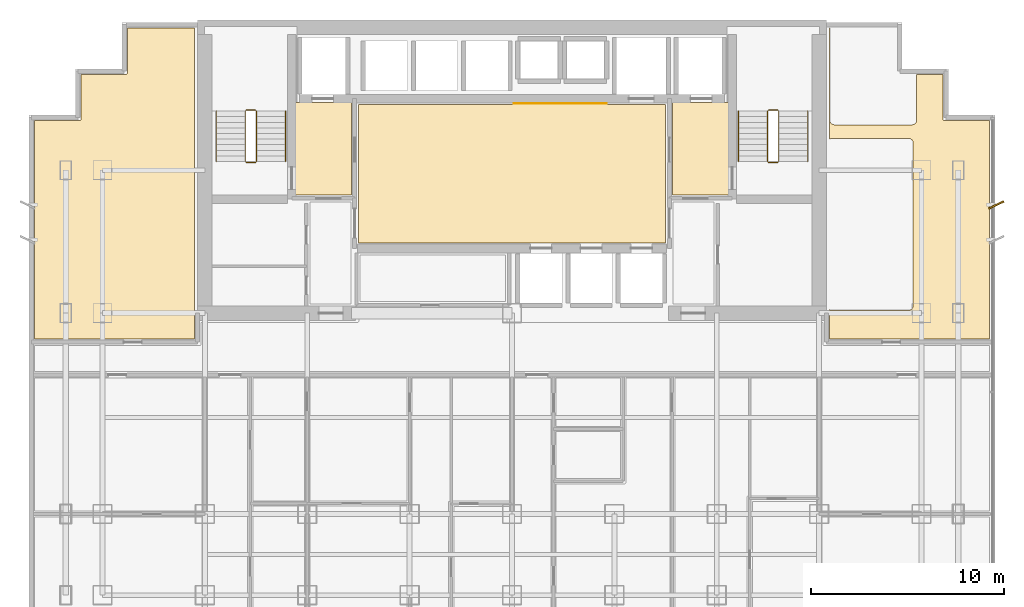
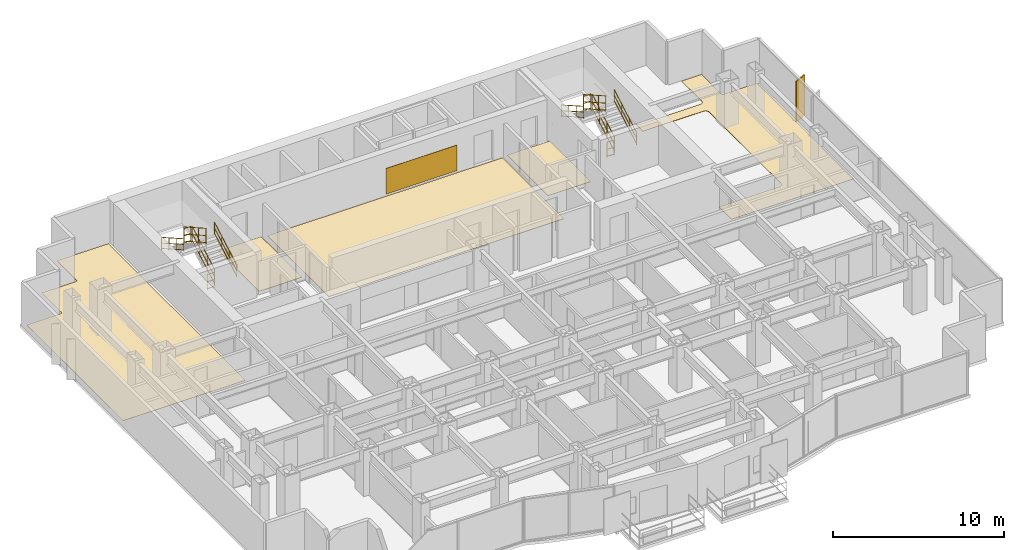
# One storey, part 12 of 12: 12 railings, 6 coverings, 1 shading device.
"""IFC4 building model written with IfcOpenShell, lengths in metres."""

from ifc_helpers import new_model, si_unit, direction, frame, origin, origin_2d, place, context, subcontext, project, spatial, polyline, rectangle, circle, outline, extrude, source, transform, mapped, material, layer, layer_set, type_object, element, save


model = new_model("IFC4")

# Units and contexts
model_context = context("Model", 3, precision=1e-05, world=origin(), true_north=direction((0.0, 1.0)))
body_context = subcontext(model_context, "Body", "Model", "MODEL_VIEW")
ifc_project = project(units=[si_unit("LENGTHUNIT", "METRE"), si_unit("AREAUNIT", "SQUARE_METRE"), si_unit("VOLUMEUNIT", "CUBIC_METRE"), si_unit("PLANEANGLEUNIT", "RADIAN"), si_unit("MASSUNIT", "GRAM", prefix="KILO")], contexts=[model_context])

# Site, building, storey
site_placement = place(None, origin())
site = spatial("IfcSite", under=ifc_project, at=site_placement, CompositionType="ELEMENT")
building_placement = place(site_placement, origin())
building = spatial("IfcBuilding", under=site, at=building_placement, Name="Qianlan Lanfeng Residences", CompositionType="ELEMENT")
storey_placement = place(building_placement, frame((0.0, 0.0, 101.5)))
storey = spatial("IfcBuildingStorey", under=building, at=storey_placement, Name="L27", CompositionType="ELEMENT", Elevation=101.5)

# Coverings
ifc_material_1 = material(Name="Anodised Bronze Feature Wall Cladding")
ifc_layer_1 = layer(ifc_material_1, 0.02490234375)
ifc_layer_set_1 = layer_set([ifc_layer_1], Name="Anodised Bronze Feature Wall Cladding")
covering_type_1 = type_object("IfcCoveringType", Name="CLD-BRZ-25", PredefinedType="CLADDING", material=ifc_layer_set_1)
covering_1_placement = place(storey_placement, frame((0.0, 0.0, 0.14990234375)))
element("IfcCovering", 1, at=covering_1_placement, inside=storey, type_object=covering_type_1, Name="L27 Lift Lobby Bronze Feature Cladding", PredefinedType="CLADDING", context=body_context, shape_type="SweptSolid", body=[
    extrude(outline(polyline([(26.60009765625, 36.050048828125), (31.39990234375, 36.050048828125), (31.39990234375, 36.074951171875), (26.60009765625, 36.074951171875), (26.60009765625, 36.050048828125)])), origin(), (0.0, 0.0, 1.0), 1.830078125),
])
ifc_material_2 = material(Name="Honed Taitung Granite Stone Flooring", Category="masonry")
ifc_layer_2 = layer(ifc_material_2, 0.030029296875)
ifc_layer_set_2 = layer_set([ifc_layer_2], Name="Honed Taitung Granite Stone Flooring")
covering_type_2 = type_object("IfcCoveringType", Name="FLR-STN-30", PredefinedType="FLOORING", material=ifc_layer_set_2)
covering_2_placement = place(storey_placement, origin())
element("IfcCovering", 2, at=covering_2_placement, inside=storey, type_object=covering_type_2, Name="L27 Firefighting Lift Lobby Floor Finish", PredefinedType="FLOORING", context=body_context, shape_type="SweptSolid", body=[
    extrude(outline(polyline([(15.2900390625, 31.320068359375), (18.179931640625, 31.320068359375), (18.179931640625, 36.110107421875), (15.2900390625, 36.110107421875), (15.2900390625, 31.320068359375)])), origin(), (0.0, 0.0, 1.0), 0.030029296875),
])
covering_3_placement = place(storey_placement, origin())
element("IfcCovering", 3, at=covering_3_placement, inside=storey, type_object=covering_type_2, Name="L27 Firefighting Lift Lobby Floor Finish", PredefinedType="FLOORING", context=body_context, shape_type="SweptSolid", body=[
    extrude(outline(polyline([(34.820068359375, 31.320068359375), (37.7099609375, 31.320068359375), (37.7099609375, 36.110107421875), (34.820068359375, 36.110107421875), (34.820068359375, 31.320068359375)])), origin(), (0.0, 0.0, 1.0), 0.030029296875),
])
covering_4_placement = place(storey_placement, origin())
element("IfcCovering", 4, at=covering_4_placement, inside=storey, type_object=covering_type_2, Name="L27 Lift Lobby Floor Finish", PredefinedType="FLOORING", context=body_context, shape_type="SweptSolid", body=[
    extrude(outline(polyline([(18.550048828125, 28.820068359375), (34.449951171875, 28.820068359375), (34.449951171875, 36.010009765625), (18.550048828125, 36.010009765625), (18.550048828125, 28.820068359375)])), origin(), (0.0, 0.0, 1.0), 0.030029296875),
])
ifc_material_3 = material(Name="Engineered Smoked Oak Timber Flooring", Category="wood")
ifc_layer_3 = layer(ifc_material_3, 0.02197265625)
ifc_layer_set_3 = layer_set([ifc_layer_3], Name="Engineered Smoked Oak Timber Flooring")
covering_type_3 = type_object("IfcCoveringType", Name="FLR-TIM-22", PredefinedType="FLOORING", material=ifc_layer_set_3)
covering_5_placement = place(storey_placement, origin())
element("IfcCovering", 5, at=covering_5_placement, inside=storey, type_object=covering_type_3, Name="L27 Sky Salon Floor Finish", PredefinedType="FLOORING", context=body_context, shape_type="SweptSolid", body=[
    extrude(outline(polyline([(10.074951171875, 23.8701171875), (10.074951171875, 39.9599609375), (6.590087890625, 39.9599609375), (6.590087890625, 37.6298828125), (6.590087890625, 37.623046875), (6.589111328125, 37.615966796875), (6.5869140625, 37.610107421875), (6.5849609375, 37.60302734375), (6.58203125, 37.596923828125), (6.577880859375, 37.591064453125), (6.573974609375, 37.5859375), (6.569091796875, 37.5810546875), (6.56396484375, 37.575927734375), (6.55908203125, 37.572021484375), (6.552978515625, 37.568115234375), (6.547119140625, 37.56494140625), (6.5400390625, 37.56298828125), (6.533935546875, 37.56103515625), (6.527099609375, 37.56005859375), (6.52001953125, 37.56005859375), (4.18994140625, 37.56005859375), (4.18994140625, 35.22998046875), (4.18994140625, 35.222900390625), (4.18896484375, 35.216064453125), (4.18701171875, 35.2099609375), (4.18505859375, 35.202880859375), (4.181884765625, 35.197021484375), (4.177978515625, 35.19091796875), (4.174072265625, 35.18603515625), (4.1689453125, 35.180908203125), (4.1640625, 35.176025390625), (4.158935546875, 35.172119140625), (4.153076171875, 35.16796875), (4.14697265625, 35.1650390625), (4.139892578125, 35.1630859375), (4.134033203125, 35.160888671875), (4.126953125, 35.159912109375), (4.1201171875, 35.159912109375), (1.7900390625, 35.159912109375), (1.7900390625, 23.8701171875), (10.074951171875, 23.8701171875)])), origin(), (0.0, 0.0, 1.0), 0.02197265625),
])
covering_6_placement = place(storey_placement, origin())
element("IfcCovering", 6, at=covering_6_placement, inside=storey, type_object=covering_type_3, Name="L27 Sky Salon Floor Finish", PredefinedType="FLOORING", context=body_context, shape_type="SweptSolid", body=[
    extrude(outline(polyline([(42.925048828125, 23.8701171875), (51.2099609375, 23.8701171875), (51.2099609375, 35.159912109375), (48.8798828125, 35.159912109375), (48.873046875, 35.159912109375), (48.865966796875, 35.160888671875), (48.860107421875, 35.1630859375), (48.85302734375, 35.1650390625), (48.846923828125, 35.16796875), (48.841064453125, 35.172119140625), (48.8359375, 35.176025390625), (48.8310546875, 35.180908203125), (48.825927734375, 35.18603515625), (48.822021484375, 35.19091796875), (48.818115234375, 35.197021484375), (48.81494140625, 35.202880859375), (48.81298828125, 35.2099609375), (48.81103515625, 35.216064453125), (48.81005859375, 35.222900390625), (48.81005859375, 35.22998046875), (48.81005859375, 37.56005859375), (47.449951171875, 37.56005859375), (47.449951171875, 35.199951171875), (47.448974609375, 35.175048828125), (47.445068359375, 35.15087890625), (47.43896484375, 35.126953125), (47.430908203125, 35.10400390625), (47.419921875, 35.08203125), (47.407958984375, 35.06103515625), (47.39306640625, 35.041015625), (47.376953125, 35.02294921875), (47.35888671875, 35.007080078125), (47.339111328125, 34.991943359375), (47.318115234375, 34.97998046875), (47.2958984375, 34.968994140625), (47.27294921875, 34.9609375), (47.2490234375, 34.955078125), (47.22509765625, 34.950927734375), (47.199951171875, 34.949951171875), (43.199951171875, 34.949951171875), (43.175048828125, 34.950927734375), (43.15087890625, 34.955078125), (43.126953125, 34.9609375), (43.10400390625, 34.968994140625), (43.08203125, 34.97998046875), (43.06103515625, 34.991943359375), (43.041015625, 35.007080078125), (43.02294921875, 35.02294921875), (43.007080078125, 35.041015625), (42.991943359375, 35.06103515625), (42.97998046875, 35.08203125), (42.968994140625, 35.10400390625), (42.9609375, 35.126953125), (42.955078125, 35.15087890625), (42.950927734375, 35.175048828125), (42.949951171875, 35.199951171875), (42.949951171875, 39.9599609375), (42.925048828125, 39.9599609375), (42.925048828125, 34.196044921875), (42.94091796875, 34.2080078125), (42.9619140625, 34.219970703125), (42.98388671875, 34.23095703125), (43.007080078125, 34.239013671875), (43.031005859375, 34.2451171875), (43.054931640625, 34.2490234375), (43.080078125, 34.25), (47.02001953125, 34.25), (47.044921875, 34.2490234375), (47.069091796875, 34.2451171875), (47.093017578125, 34.239013671875), (47.115966796875, 34.23095703125), (47.137939453125, 34.219970703125), (47.158935546875, 34.2080078125), (47.178955078125, 34.193115234375), (47.197021484375, 34.177001953125), (47.212890625, 34.158935546875), (47.22802734375, 34.138916015625), (47.239990234375, 34.117919921875), (47.2509765625, 34.095947265625), (47.259033203125, 34.072998046875), (47.264892578125, 34.049072265625), (47.26904296875, 34.02490234375), (47.27001953125, 34.0), (47.27001953125, 25.60009765625), (47.26904296875, 25.574951171875), (47.264892578125, 25.551025390625), (47.259033203125, 25.527099609375), (47.2509765625, 25.50390625), (47.239990234375, 25.48193359375), (47.22802734375, 25.4609375), (47.212890625, 25.44091796875), (47.197021484375, 25.423095703125), (47.178955078125, 25.406982421875), (47.158935546875, 25.39208984375), (47.137939453125, 25.3798828125), (47.115966796875, 25.368896484375), (47.093017578125, 25.361083984375), (47.069091796875, 25.35498046875), (47.044921875, 25.35107421875), (47.02001953125, 25.35009765625), (43.080078125, 25.35009765625), (43.054931640625, 25.35107421875), (43.031005859375, 25.35498046875), (43.007080078125, 25.361083984375), (42.98388671875, 25.368896484375), (42.9619140625, 25.3798828125), (42.94091796875, 25.39208984375), (42.925048828125, 25.404052734375), (42.925048828125, 23.8701171875)])), origin(), (0.0, 0.0, 1.0), 0.02197265625),
])

# Railings
ifc_material_4 = material(Name="Painted Galvanised Steel Guardrail", Category="steel")
railing_type_1 = type_object("IfcRailingType", Name="GR-ST-1120", PredefinedType="GUARDRAIL", material=ifc_material_4)
railing_1_placement = place(storey_placement, frame((13.27001953125, 33.050048828125, 0.1650390625)))
element("IfcRailing", 7, at=railing_1_placement, inside=storey, type_object=railing_type_1, Name="L27 ST-1 stair guard 1", PredefinedType="GUARDRAIL", context=body_context, shape_type="SweptSolid", body=[
    extrude(circle(Radius=0.02392578125, at=origin_2d()), frame((0.0, 0.0, 0.083984375), z_axis=(0.0, 0.869172267526, 0.494509422927), x_axis=(-1.0, 0.0, 0.0)), (0.0, 0.0, 1.0), 3.002685546875),
    extrude(circle(Radius=0.02392578125, at=origin_2d()), frame((0.0, 0.0, 0.58251953125), z_axis=(0.0, 0.869172267526, 0.494509422927), x_axis=(-1.0, 0.0, 0.0)), (0.0, 0.0, 1.0), 3.002685546875),
    extrude(circle(Radius=0.02392578125, at=origin_2d()), frame((0.0, 0.0, 1.09619140625), z_axis=(0.0, 0.869172267526, 0.494509422927), x_axis=(-1.0, 0.0, 0.0)), (0.0, 0.0, 1.0), 3.002685546875),
    extrude(circle(Radius=0.02099609375, at=origin_2d()), origin(), (0.0, 0.0, 1.0), 1.072021484375),
    extrude(circle(Radius=0.02099609375, at=origin_2d()), frame((0.0, 0.869873046875, 0.494873046875)), (0.0, 0.0, 1.0), 1.072021484375),
    extrude(circle(Radius=0.02099609375, at=origin_2d()), frame((0.0, 1.739990234375, 0.989990234375)), (0.0, 0.0, 1.0), 1.072021484375),
    extrude(circle(Radius=0.02099609375, at=origin_2d()), frame((0.0, 2.60986328125, 1.48486328125)), (0.0, 0.0, 1.0), 1.072021484375),
])
railing_2_placement = place(storey_placement, frame((13.219970703125, 35.7099609375, 1.64990234375)))
element("IfcRailing", 8, at=railing_2_placement, inside=storey, type_object=railing_type_1, Name="L27 ST-1 stair guard 2", PredefinedType="GUARDRAIL", context=body_context, shape_type="SweptSolid", body=[
    extrude(circle(Radius=0.02392578125, at=origin_2d()), frame((0.0, 0.0, 0.083984375), z_axis=(-1.0, 0.0, 0.0), x_axis=(0.0, -1.0, 0.0)), (0.0, 0.0, 1.0), 0.47998046875),
    extrude(circle(Radius=0.02392578125, at=origin_2d()), frame((0.0, 0.0, 0.58251953125), z_axis=(-1.0, 0.0, 0.0), x_axis=(0.0, -1.0, 0.0)), (0.0, 0.0, 1.0), 0.47998046875),
    extrude(circle(Radius=0.02392578125, at=origin_2d()), frame((0.0, 0.0, 1.09619140625), z_axis=(-1.0, 0.0, 0.0), x_axis=(0.0, -1.0, 0.0)), (0.0, 0.0, 1.0), 0.47998046875),
    extrude(circle(Radius=0.02099609375, at=origin_2d()), origin(), (0.0, 0.0, 1.0), 1.072021484375),
    extrude(circle(Radius=0.02099609375, at=origin_2d()), frame((-0.47998046875, 0.0, 0.0)), (0.0, 0.0, 1.0), 1.072021484375),
])
railing_3_placement = place(storey_placement, frame((12.68994140625, 35.659912109375, 1.81494140625)))
element("IfcRailing", 9, at=railing_3_placement, inside=storey, type_object=railing_type_1, Name="L27 ST-1 stair guard 3", PredefinedType="GUARDRAIL", context=body_context, shape_type="SweptSolid", body=[
    extrude(circle(Radius=0.02392578125, at=origin_2d()), frame((0.0, 0.0, 0.083984375), z_axis=(0.0, -0.869137319866, 0.494570843475), x_axis=(1.0, 0.0, 0.0)), (0.0, 0.0, 1.0), 3.0029296875),
    extrude(circle(Radius=0.02392578125, at=origin_2d()), frame((0.0, 0.0, 0.58251953125), z_axis=(0.0, -0.869137319866, 0.494570843475), x_axis=(1.0, 0.0, 0.0)), (0.0, 0.0, 1.0), 3.0029296875),
    extrude(circle(Radius=0.02392578125, at=origin_2d()), frame((0.0, 0.0, 1.09619140625), z_axis=(0.0, -0.869137319866, 0.494570843475), x_axis=(1.0, 0.0, 0.0)), (0.0, 0.0, 1.0), 3.0029296875),
    extrude(circle(Radius=0.02099609375, at=origin_2d()), origin(), (0.0, 0.0, 1.0), 1.072021484375),
    extrude(circle(Radius=0.02099609375, at=origin_2d()), frame((0.0, -0.869873046875, 0.4951171875)), (0.0, 0.0, 1.0), 1.072021484375),
    extrude(circle(Radius=0.02099609375, at=origin_2d()), frame((0.0, -1.739990234375, 0.989990234375)), (0.0, 0.0, 1.0), 1.072021484375),
    extrude(circle(Radius=0.02099609375, at=origin_2d()), frame((0.0, -2.60986328125, 1.485107421875)), (0.0, 0.0, 1.0), 1.072021484375),
])
railing_4_placement = place(storey_placement, frame((13.219970703125, 33.0, 0.0)))
element("IfcRailing", 10, at=railing_4_placement, inside=storey, type_object=railing_type_1, Name="L27 ST-1 stair guard 4", PredefinedType="GUARDRAIL", context=body_context, shape_type="SweptSolid", body=[
    extrude(circle(Radius=0.02392578125, at=origin_2d()), frame((0.0, 0.0, 0.083984375), z_axis=(-1.0, 0.0, 0.0), x_axis=(0.0, -1.0, 0.0)), (0.0, 0.0, 1.0), 0.47998046875),
    extrude(circle(Radius=0.02392578125, at=origin_2d()), frame((0.0, 0.0, 0.58251953125), z_axis=(-1.0, 0.0, 0.0), x_axis=(0.0, -1.0, 0.0)), (0.0, 0.0, 1.0), 0.47998046875),
    extrude(circle(Radius=0.02392578125, at=origin_2d()), frame((0.0, 0.0, 1.09619140625), z_axis=(-1.0, 0.0, 0.0), x_axis=(0.0, -1.0, 0.0)), (0.0, 0.0, 1.0), 0.47998046875),
    extrude(circle(Radius=0.02099609375, at=origin_2d()), origin(), (0.0, 0.0, 1.0), 1.072021484375),
    extrude(circle(Radius=0.02099609375, at=origin_2d()), frame((-0.47998046875, 0.0, 0.0)), (0.0, 0.0, 1.0), 1.072021484375),
])
railing_5_placement = place(storey_placement, frame((40.31005859375, 33.050048828125, 0.1650390625)))
element("IfcRailing", 11, at=railing_5_placement, inside=storey, type_object=railing_type_1, Name="L27 ST-2 stair guard 1", PredefinedType="GUARDRAIL", context=body_context, shape_type="SweptSolid", body=[
    extrude(circle(Radius=0.02392578125, at=origin_2d()), frame((0.0, 0.0, 0.083984375), z_axis=(0.0, 0.869172267526, 0.494509422927), x_axis=(-1.0, 0.0, 0.0)), (0.0, 0.0, 1.0), 3.002685546875),
    extrude(circle(Radius=0.02392578125, at=origin_2d()), frame((0.0, 0.0, 0.58251953125), z_axis=(0.0, 0.869172267526, 0.494509422927), x_axis=(-1.0, 0.0, 0.0)), (0.0, 0.0, 1.0), 3.002685546875),
    extrude(circle(Radius=0.02392578125, at=origin_2d()), frame((0.0, 0.0, 1.09619140625), z_axis=(0.0, 0.869172267526, 0.494509422927), x_axis=(-1.0, 0.0, 0.0)), (0.0, 0.0, 1.0), 3.002685546875),
    extrude(circle(Radius=0.02099609375, at=origin_2d()), origin(), (0.0, 0.0, 1.0), 1.072021484375),
    extrude(circle(Radius=0.02099609375, at=origin_2d()), frame((0.0, 0.869873046875, 0.494873046875)), (0.0, 0.0, 1.0), 1.072021484375),
    extrude(circle(Radius=0.02099609375, at=origin_2d()), frame((0.0, 1.739990234375, 0.989990234375)), (0.0, 0.0, 1.0), 1.072021484375),
    extrude(circle(Radius=0.02099609375, at=origin_2d()), frame((0.0, 2.60986328125, 1.48486328125)), (0.0, 0.0, 1.0), 1.072021484375),
])
railing_6_placement = place(storey_placement, frame((40.260009765625, 35.7099609375, 1.64990234375)))
element("IfcRailing", 12, at=railing_6_placement, inside=storey, type_object=railing_type_1, Name="L27 ST-2 stair guard 2", PredefinedType="GUARDRAIL", context=body_context, shape_type="SweptSolid", body=[
    extrude(circle(Radius=0.02392578125, at=origin_2d()), frame((0.0, 0.0, 0.083984375), z_axis=(-1.0, 0.0, 0.0), x_axis=(0.0, -1.0, 0.0)), (0.0, 0.0, 1.0), 0.47998046875),
    extrude(circle(Radius=0.02392578125, at=origin_2d()), frame((0.0, 0.0, 0.58251953125), z_axis=(-1.0, 0.0, 0.0), x_axis=(0.0, -1.0, 0.0)), (0.0, 0.0, 1.0), 0.47998046875),
    extrude(circle(Radius=0.02392578125, at=origin_2d()), frame((0.0, 0.0, 1.09619140625), z_axis=(-1.0, 0.0, 0.0), x_axis=(0.0, -1.0, 0.0)), (0.0, 0.0, 1.0), 0.47998046875),
    extrude(circle(Radius=0.02099609375, at=origin_2d()), origin(), (0.0, 0.0, 1.0), 1.072021484375),
    extrude(circle(Radius=0.02099609375, at=origin_2d()), frame((-0.47998046875, 0.0, 0.0)), (0.0, 0.0, 1.0), 1.072021484375),
])
railing_7_placement = place(storey_placement, frame((39.72998046875, 35.659912109375, 1.81494140625)))
element("IfcRailing", 13, at=railing_7_placement, inside=storey, type_object=railing_type_1, Name="L27 ST-2 stair guard 3", PredefinedType="GUARDRAIL", context=body_context, shape_type="SweptSolid", body=[
    extrude(circle(Radius=0.02392578125, at=origin_2d()), frame((0.0, 0.0, 0.083984375), z_axis=(0.0, -0.869137319866, 0.494570843475), x_axis=(1.0, 0.0, 0.0)), (0.0, 0.0, 1.0), 3.0029296875),
    extrude(circle(Radius=0.02392578125, at=origin_2d()), frame((0.0, 0.0, 0.58251953125), z_axis=(0.0, -0.869137319866, 0.494570843475), x_axis=(1.0, 0.0, 0.0)), (0.0, 0.0, 1.0), 3.0029296875),
    extrude(circle(Radius=0.02392578125, at=origin_2d()), frame((0.0, 0.0, 1.09619140625), z_axis=(0.0, -0.869137319866, 0.494570843475), x_axis=(1.0, 0.0, 0.0)), (0.0, 0.0, 1.0), 3.0029296875),
    extrude(circle(Radius=0.02099609375, at=origin_2d()), origin(), (0.0, 0.0, 1.0), 1.072021484375),
    extrude(circle(Radius=0.02099609375, at=origin_2d()), frame((0.0, -0.869873046875, 0.4951171875)), (0.0, 0.0, 1.0), 1.072021484375),
    extrude(circle(Radius=0.02099609375, at=origin_2d()), frame((0.0, -1.739990234375, 0.989990234375)), (0.0, 0.0, 1.0), 1.072021484375),
    extrude(circle(Radius=0.02099609375, at=origin_2d()), frame((0.0, -2.60986328125, 1.485107421875)), (0.0, 0.0, 1.0), 1.072021484375),
])
railing_8_placement = place(storey_placement, frame((40.260009765625, 33.0, 0.0)))
element("IfcRailing", 14, at=railing_8_placement, inside=storey, type_object=railing_type_1, Name="L27 ST-2 stair guard 4", PredefinedType="GUARDRAIL", context=body_context, shape_type="SweptSolid", body=[
    extrude(circle(Radius=0.02392578125, at=origin_2d()), frame((0.0, 0.0, 0.083984375), z_axis=(-1.0, 0.0, 0.0), x_axis=(0.0, -1.0, 0.0)), (0.0, 0.0, 1.0), 0.47998046875),
    extrude(circle(Radius=0.02392578125, at=origin_2d()), frame((0.0, 0.0, 0.58251953125), z_axis=(-1.0, 0.0, 0.0), x_axis=(0.0, -1.0, 0.0)), (0.0, 0.0, 1.0), 0.47998046875),
    extrude(circle(Radius=0.02392578125, at=origin_2d()), frame((0.0, 0.0, 1.09619140625), z_axis=(-1.0, 0.0, 0.0), x_axis=(0.0, -1.0, 0.0)), (0.0, 0.0, 1.0), 0.47998046875),
    extrude(circle(Radius=0.02099609375, at=origin_2d()), origin(), (0.0, 0.0, 1.0), 1.072021484375),
    extrude(circle(Radius=0.02099609375, at=origin_2d()), frame((-0.47998046875, 0.0, 0.0)), (0.0, 0.0, 1.0), 1.072021484375),
])
ifc_material_5 = material(Name="Brushed Stainless Steel Handrail", Category="steel")
railing_type_2 = type_object("IfcRailingType", Name="HR-ST-920", PredefinedType="HANDRAIL", material=ifc_material_5)
railing_9_placement = place(storey_placement, frame((14.77001953125, 33.050048828125, 0.1650390625)))
element("IfcRailing", 15, at=railing_9_placement, inside=storey, type_object=railing_type_2, Name="L27 ST-1 stair handrail 1", PredefinedType="HANDRAIL", context=body_context, shape_type="SweptSolid", body=[
    extrude(circle(Radius=0.02392578125, at=origin_2d()), frame((0.0, 0.0, 0.083984375), z_axis=(0.0, 0.869172267526, 0.494509422927), x_axis=(-1.0, 0.0, 0.0)), (0.0, 0.0, 1.0), 3.002685546875),
    extrude(circle(Radius=0.02392578125, at=origin_2d()), frame((0.0, 0.0, 0.468017578125), z_axis=(0.0, 0.869172267526, 0.494509422927), x_axis=(-1.0, 0.0, 0.0)), (0.0, 0.0, 1.0), 3.002685546875),
    extrude(circle(Radius=0.02392578125, at=origin_2d()), frame((0.0, 0.0, 0.8759765625), z_axis=(0.0, 0.869172267526, 0.494509422927), x_axis=(-1.0, 0.0, 0.0)), (0.0, 0.0, 1.0), 3.002685546875),
    extrude(circle(Radius=0.02099609375, at=origin_2d()), origin(), (0.0, 0.0, 1.0), 0.851806640625),
    extrude(circle(Radius=0.02099609375, at=origin_2d()), frame((0.0, 0.869873046875, 0.494873046875)), (0.0, 0.0, 1.0), 0.851806640625),
    extrude(circle(Radius=0.02099609375, at=origin_2d()), frame((0.0, 1.739990234375, 0.989990234375)), (0.0, 0.0, 1.0), 0.851806640625),
    extrude(circle(Radius=0.02099609375, at=origin_2d()), frame((0.0, 2.60986328125, 1.48486328125)), (0.0, 0.0, 1.0), 0.851806640625),
])
railing_10_placement = place(storey_placement, frame((11.18994140625, 35.659912109375, 1.81494140625)))
element("IfcRailing", 16, at=railing_10_placement, inside=storey, type_object=railing_type_2, Name="L27 ST-1 stair handrail 2", PredefinedType="HANDRAIL", context=body_context, shape_type="SweptSolid", body=[
    extrude(circle(Radius=0.02392578125, at=origin_2d()), frame((0.0, 0.0, 0.083984375), z_axis=(0.0, -0.869137319866, 0.494570843475), x_axis=(1.0, 0.0, 0.0)), (0.0, 0.0, 1.0), 3.0029296875),
    extrude(circle(Radius=0.02392578125, at=origin_2d()), frame((0.0, 0.0, 0.468017578125), z_axis=(0.0, -0.869137319866, 0.494570843475), x_axis=(1.0, 0.0, 0.0)), (0.0, 0.0, 1.0), 3.0029296875),
    extrude(circle(Radius=0.02392578125, at=origin_2d()), frame((0.0, 0.0, 0.8759765625), z_axis=(0.0, -0.869137319866, 0.494570843475), x_axis=(1.0, 0.0, 0.0)), (0.0, 0.0, 1.0), 3.0029296875),
    extrude(circle(Radius=0.02099609375, at=origin_2d()), origin(), (0.0, 0.0, 1.0), 0.851806640625),
    extrude(circle(Radius=0.02099609375, at=origin_2d()), frame((0.0, -0.869873046875, 0.4951171875)), (0.0, 0.0, 1.0), 0.851806640625),
    extrude(circle(Radius=0.02099609375, at=origin_2d()), frame((0.0, -1.739990234375, 0.989990234375)), (0.0, 0.0, 1.0), 0.851806640625),
    extrude(circle(Radius=0.02099609375, at=origin_2d()), frame((0.0, -2.60986328125, 1.485107421875)), (0.0, 0.0, 1.0), 0.851806640625),
])
railing_11_placement = place(storey_placement, frame((41.81005859375, 33.050048828125, 0.1650390625)))
element("IfcRailing", 17, at=railing_11_placement, inside=storey, type_object=railing_type_2, Name="L27 ST-2 stair handrail 1", PredefinedType="HANDRAIL", context=body_context, shape_type="SweptSolid", body=[
    extrude(circle(Radius=0.02392578125, at=origin_2d()), frame((0.0, 0.0, 0.083984375), z_axis=(0.0, 0.869172267526, 0.494509422927), x_axis=(-1.0, 0.0, 0.0)), (0.0, 0.0, 1.0), 3.002685546875),
    extrude(circle(Radius=0.02392578125, at=origin_2d()), frame((0.0, 0.0, 0.468017578125), z_axis=(0.0, 0.869172267526, 0.494509422927), x_axis=(-1.0, 0.0, 0.0)), (0.0, 0.0, 1.0), 3.002685546875),
    extrude(circle(Radius=0.02392578125, at=origin_2d()), frame((0.0, 0.0, 0.8759765625), z_axis=(0.0, 0.869172267526, 0.494509422927), x_axis=(-1.0, 0.0, 0.0)), (0.0, 0.0, 1.0), 3.002685546875),
    extrude(circle(Radius=0.02099609375, at=origin_2d()), origin(), (0.0, 0.0, 1.0), 0.851806640625),
    extrude(circle(Radius=0.02099609375, at=origin_2d()), frame((0.0, 0.869873046875, 0.494873046875)), (0.0, 0.0, 1.0), 0.851806640625),
    extrude(circle(Radius=0.02099609375, at=origin_2d()), frame((0.0, 1.739990234375, 0.989990234375)), (0.0, 0.0, 1.0), 0.851806640625),
    extrude(circle(Radius=0.02099609375, at=origin_2d()), frame((0.0, 2.60986328125, 1.48486328125)), (0.0, 0.0, 1.0), 0.851806640625),
])
railing_12_placement = place(storey_placement, frame((38.22998046875, 35.659912109375, 1.81494140625)))
element("IfcRailing", 18, at=railing_12_placement, inside=storey, type_object=railing_type_2, Name="L27 ST-2 stair handrail 2", PredefinedType="HANDRAIL", context=body_context, shape_type="SweptSolid", body=[
    extrude(circle(Radius=0.02392578125, at=origin_2d()), frame((0.0, 0.0, 0.083984375), z_axis=(0.0, -0.869137319866, 0.494570843475), x_axis=(1.0, 0.0, 0.0)), (0.0, 0.0, 1.0), 3.0029296875),
    extrude(circle(Radius=0.02392578125, at=origin_2d()), frame((0.0, 0.0, 0.468017578125), z_axis=(0.0, -0.869137319866, 0.494570843475), x_axis=(1.0, 0.0, 0.0)), (0.0, 0.0, 1.0), 3.0029296875),
    extrude(circle(Radius=0.02392578125, at=origin_2d()), frame((0.0, 0.0, 0.8759765625), z_axis=(0.0, -0.869137319866, 0.494570843475), x_axis=(1.0, 0.0, 0.0)), (0.0, 0.0, 1.0), 3.0029296875),
    extrude(circle(Radius=0.02099609375, at=origin_2d()), origin(), (0.0, 0.0, 1.0), 0.851806640625),
    extrude(circle(Radius=0.02099609375, at=origin_2d()), frame((0.0, -0.869873046875, 0.4951171875)), (0.0, 0.0, 1.0), 0.851806640625),
    extrude(circle(Radius=0.02099609375, at=origin_2d()), frame((0.0, -1.739990234375, 0.989990234375)), (0.0, 0.0, 1.0), 0.851806640625),
    extrude(circle(Radius=0.02099609375, at=origin_2d()), frame((0.0, -2.60986328125, 1.485107421875)), (0.0, 0.0, 1.0), 0.851806640625),
])

# Shading device
ifc_material_6 = material(Name="Anodised Bronze Aluminium Solar Fin", Category="aluminium")
shading_device_type = type_object("IfcShadingDeviceType", Name="FIN-BRZ-850", PredefinedType="SHUTTER", material=ifc_material_6)
shared_shape = source(origin(), body_context, "Body", "SweptSolid", [
    extrude(rectangle(XDim=0.85009765625, YDim=0.080078125, at=origin_2d()), origin(), (0.0, 0.0, 1.0), 2.89990234375),
])
shading_device_placement = place(storey_placement, frame((51.570068359375, 30.800048828125, 0.0), z_axis=(0.0, 0.0, 1.0), x_axis=(0.898794046299, 0.438371146789, 0.0)))
element("IfcShadingDevice", 19, at=shading_device_placement, inside=storey, type_object=shading_device_type, Name="L27 Raked Bronze Solar Fin E2", PredefinedType="SHUTTER", context=body_context, shape_type="MappedRepresentation", body=[
    mapped(shared_shape, transform((0.0, 0.0, 0.0), scale=1.0)),
])

save(model, "model.ifc")
